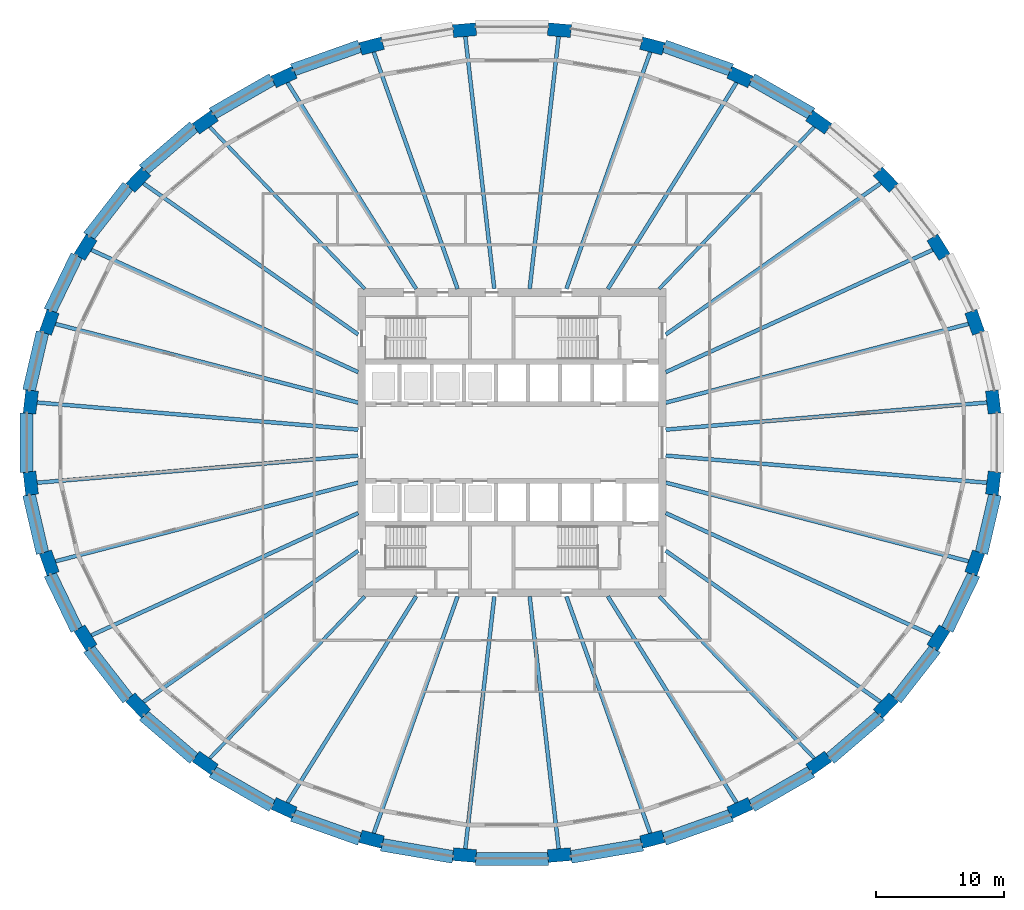
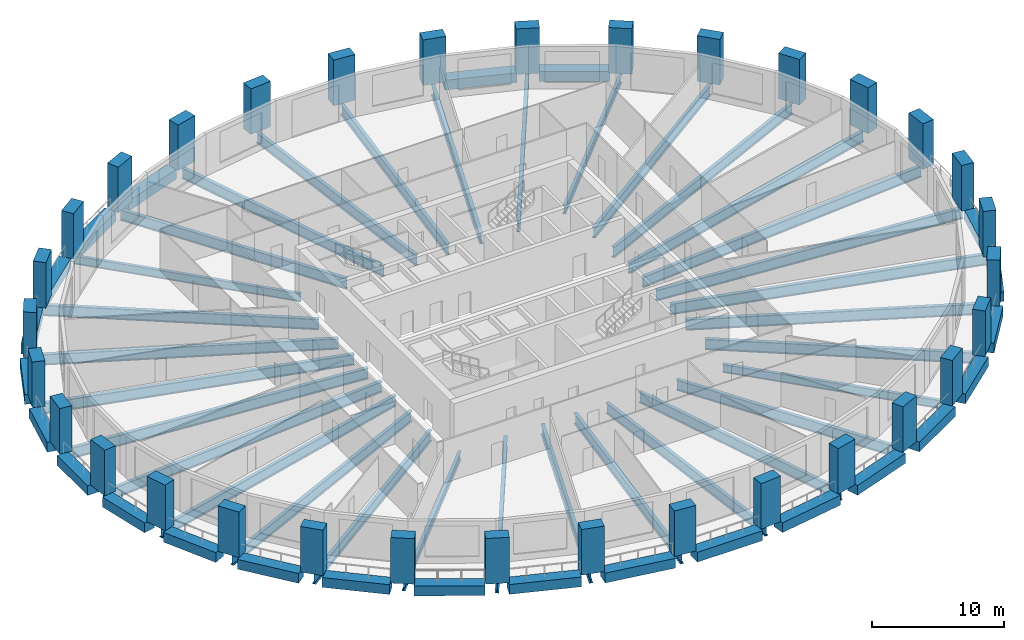
# One storey, part 1 of 12: 56 beams, 32 columns.
"""IFC4 building model written with IfcOpenShell, lengths in metres."""

from ifc_helpers import new_model, si_unit, direction, frame, origin, origin_2d, place, context, subcontext, project, spatial, rectangle, i_section, extrude, material, material_profile, profile_set, type_object, element, save


model = new_model("IFC4")

# Units and contexts
model_context = context("Model", 3, precision=1e-05, world=origin(), true_north=direction((0.0, 1.0)))
body_context = subcontext(model_context, "Body", "Model", "MODEL_VIEW")
ifc_project = project(units=[si_unit("LENGTHUNIT", "METRE"), si_unit("AREAUNIT", "SQUARE_METRE"), si_unit("VOLUMEUNIT", "CUBIC_METRE"), si_unit("PLANEANGLEUNIT", "RADIAN"), si_unit("MASSUNIT", "GRAM", prefix="KILO")], contexts=[model_context])

# Site, building, storey
site_placement = place(None, origin())
site = spatial("IfcSite", under=ifc_project, at=site_placement, CompositionType="ELEMENT")
building_placement = place(site_placement, origin())
building = spatial("IfcBuilding", under=site, at=building_placement, Name="Halqa Exchange Tower", CompositionType="ELEMENT")
storey_placement = place(building_placement, frame((0.0, 0.0, 31.89990234375)))
storey = spatial("IfcBuildingStorey", under=building, at=storey_placement, Name="L06", CompositionType="ELEMENT", Elevation=31.89990234375)

# Columns
ifc_material_1 = material(Name="Concrete C80/95", Category="concrete")
ifc_material_profile_1 = material_profile(ifc_material_1, rectangle(XDim=1.800048828125, YDim=1.0, at=origin_2d()), Name="1800 x 1000")
ifc_profile_set_1 = profile_set([ifc_material_profile_1], Name="Concrete C80/95")
column_type = type_object("IfcColumnType", Name="RC ring column 1800 x 1000 C80/95", PredefinedType="COLUMN", material=ifc_profile_set_1)
for number, where, z_axis, x_axis, name in (
    (1, (37.4765625, 3.163818359375, 0.0), (0.0, 0.0, 1.0), (-0.114155188058, 0.993462929877, 0.0), "Ring column 1"),
    (2, (36.036376953125, 9.369873046875, 0.0), (0.0, 0.0, 1.0), (-0.333630814899, 0.942703813162, 0.0), "Ring column 2"),
    (3, (33.211181640625, 15.2158203125, 0.0), (0.0, 0.0, 1.0), (-0.529141977228, 0.848533303964, 0.0), "Ring column 3"),
    (4, (29.110107421875, 20.47705078125, 0.0), (0.0, 0.0, 1.0), (-0.691574830638, 0.722304820438, 0.0), "Ring column 4"),
    (5, (23.889892578125, 24.951416015625, 0.0), (0.0, 0.0, 1.0), (-0.817911800523, 0.575343624772, 0.0), "Ring column 5"),
    (6, (17.751708984375, 28.466796875, 0.0), (0.0, 0.0, 1.0), (-0.909127822794, 0.416517228722, 0.0), "Ring column 6"),
    (7, (10.931396484375, 30.88818359375, 0.0), (0.0, 0.0, 1.0), (-0.967819064366, 0.251647091481, 0.0), "Ring column 7"),
    (8, (3.691162109375, 32.122802734375, 0.0), (0.0, 0.0, 1.0), (-0.996455225341, 0.084124811391, 0.0), "Ring column 8"),
    (9, (-3.691162109375, 32.122802734375, 0.0), (0.0, 0.0, 1.0), (-0.996455225341, -0.084124811391, 0.0), "Ring column 9"),
    (10, (-10.931396484375, 30.88818359375, 0.0), (0.0, 0.0, 1.0), (-0.967819064366, -0.251647091481, 0.0), "Ring column 10"),
    (11, (-17.751708984375, 28.466796875, 0.0), (0.0, 0.0, 1.0), (-0.909127822794, -0.416517228722, 0.0), "Ring column 11"),
    (12, (-23.889892578125, 24.951416015625, 0.0), (0.0, 0.0, 1.0), (-0.817911800523, -0.575343624772, 0.0), "Ring column 12"),
    (13, (-29.110107421875, 20.47705078125, 0.0), (0.0, 0.0, 1.0), (-0.691574830638, -0.722304820438, 0.0), "Ring column 13"),
    (14, (-33.211181640625, 15.2158203125, 0.0), (0.0, 0.0, 1.0), (-0.529141977228, -0.848533303964, 0.0), "Ring column 14"),
    (15, (-36.036376953125, 9.369873046875, 0.0), (0.0, 0.0, 1.0), (-0.333630814899, -0.942703813162, 0.0), "Ring column 15"),
    (16, (-37.4765625, 3.163818359375, 0.0), (0.0, 0.0, 1.0), (-0.114155188058, -0.993462929877, 0.0), "Ring column 16"),
    (17, (-37.4765625, -3.163818359375, 0.0), (0.0, 0.0, 1.0), (0.114155188058, -0.993462929877, 0.0), "Ring column 17"),
    (18, (-36.036376953125, -9.369873046875, 0.0), (0.0, 0.0, 1.0), (0.333630814899, -0.942703813162, 0.0), "Ring column 18"),
    (19, (-33.211181640625, -15.2158203125, 0.0), (0.0, 0.0, 1.0), (0.529141977228, -0.848533303964, 0.0), "Ring column 19"),
    (20, (-29.110107421875, -20.47705078125, 0.0), (0.0, 0.0, 1.0), (0.691574830638, -0.722304820438, 0.0), "Ring column 20"),
    (21, (-23.889892578125, -24.951416015625, 0.0), (0.0, 0.0, 1.0), (0.817911800523, -0.575343624772, 0.0), "Ring column 21"),
    (22, (-17.751708984375, -28.466796875, 0.0), (0.0, 0.0, 1.0), (0.909127822794, -0.416517228722, 0.0), "Ring column 22"),
    (23, (-10.931396484375, -30.88818359375, 0.0), (0.0, 0.0, 1.0), (0.967819064366, -0.251647091481, 0.0), "Ring column 23"),
    (24, (-3.691162109375, -32.122802734375, 0.0), (0.0, 0.0, 1.0), (0.996455225341, -0.084124811391, 0.0), "Ring column 24"),
    (25, (3.691162109375, -32.122802734375, 0.0), (0.0, 0.0, 1.0), (0.996455225341, 0.084124811391, 0.0), "Ring column 25"),
    (26, (10.931396484375, -30.88818359375, 0.0), (0.0, 0.0, 1.0), (0.967819064366, 0.251647091481, 0.0), "Ring column 26"),
    (27, (17.751708984375, -28.466796875, 0.0), (0.0, 0.0, 1.0), (0.909127822794, 0.416517228722, 0.0), "Ring column 27"),
    (28, (23.889892578125, -24.951416015625, 0.0), (0.0, 0.0, 1.0), (0.817911800523, 0.575343624772, 0.0), "Ring column 28"),
    (29, (29.110107421875, -20.47705078125, 0.0), (0.0, 0.0, 1.0), (0.691574830638, 0.722304820438, 0.0), "Ring column 29"),
    (30, (33.211181640625, -15.2158203125, 0.0), (0.0, 0.0, 1.0), (0.529141977228, 0.848533303964, 0.0), "Ring column 30"),
    (31, (36.036376953125, -9.369873046875, 0.0), (0.0, 0.0, 1.0), (0.333630814899, 0.942703813162, 0.0), "Ring column 31"),
    (32, (37.4765625, -3.163818359375, 0.0), (0.0, 0.0, 1.0), (0.114155188058, 0.993462929877, 0.0), "Ring column 32"),
):
    element("IfcColumn", number, at=place(storey_placement, frame(where, z_axis=z_axis, x_axis=x_axis)), inside=storey, type_object=column_type, Name=name, PredefinedType="COLUMN", context=body_context, shape_type="SweptSolid", body=[
        extrude(rectangle(XDim=1.800048828125, YDim=1.0, at=origin_2d()), origin(), (0.0, 0.0, 1.0), 4.2001953125),
    ])

# Beams
ifc_material_2 = material(Name="Steel S355", Category="steel")
ifc_material_profile_2 = material_profile(ifc_material_2, i_section(OverallWidth=0.300048828125, OverallDepth=0.989990234375, WebThickness=0.0166015625, FlangeThickness=0.031005859375, FilletRadius=0.030029296875, at=origin_2d()), Name="HEA 1000")
ifc_profile_set_2 = profile_set([ifc_material_profile_2], Name="Steel S355")
beam_type_1 = type_object("IfcBeamType", Name="Floor beam HEA 1000", PredefinedType="BEAM", material=ifc_profile_set_2)
beam_1_placement = place(storey_placement, frame((11.972412109375, 5.485107421875, -0.794921875), z_axis=(0.909124630178, 0.416524197141, 0.0), x_axis=(-0.416524197141, 0.909124630178, 0.0)))
element("IfcBeam", 33, at=beam_1_placement, inside=storey, type_object=beam_type_1, Name="Radial beam 3", PredefinedType="BEAM", context=body_context, shape_type="SweptSolid", body=[
    extrude(i_section(OverallWidth=0.300048828125, OverallDepth=0.989990234375, WebThickness=0.0166015625, FlangeThickness=0.031005859375, FilletRadius=0.030029296875, at=origin_2d()), origin(), (0.0, 0.0, 1.0), 23.317626953125),
])
beam_2_placement = place(storey_placement, frame((11.972412109375, 8.421875, -0.794921875), z_axis=(0.817908826186, 0.575347853082, 0.0), x_axis=(-0.575347853082, 0.817908826186, 0.0)))
element("IfcBeam", 34, at=beam_2_placement, inside=storey, type_object=beam_type_1, Name="Radial beam 4", PredefinedType="BEAM", context=body_context, shape_type="SweptSolid", body=[
    extrude(i_section(OverallWidth=0.300048828125, OverallDepth=0.989990234375, WebThickness=0.0166015625, FlangeThickness=0.031005859375, FilletRadius=0.030029296875, at=origin_2d()), origin(), (0.0, 0.0, 1.0), 20.900146484375),
])
beam_3_placement = place(storey_placement, frame((7.46533203125, 11.971435546875, -0.794921875), z_axis=(0.529139837497, 0.848534638287, 0.0), x_axis=(-0.848534638287, 0.529139837497, 0.0)))
element("IfcBeam", 35, at=beam_3_placement, inside=storey, type_object=beam_type_1, Name="Radial beam 6", PredefinedType="BEAM", context=body_context, shape_type="SweptSolid", body=[
    extrude(i_section(OverallWidth=0.300048828125, OverallDepth=0.989990234375, WebThickness=0.0166015625, FlangeThickness=0.031005859375, FilletRadius=0.030029296875, at=origin_2d()), origin(), (0.0, 0.0, 1.0), 19.36865234375),
])
beam_4_placement = place(storey_placement, frame((4.23681640625, 11.971923828125, -0.794921875), z_axis=(0.333629414336, 0.942704308832, 0.0), x_axis=(-0.942704308832, 0.333629414336, 0.0)))
element("IfcBeam", 36, at=beam_4_placement, inside=storey, type_object=beam_type_1, Name="Radial beam 7", PredefinedType="BEAM", context=body_context, shape_type="SweptSolid", body=[
    extrude(i_section(OverallWidth=0.300048828125, OverallDepth=0.989990234375, WebThickness=0.0166015625, FlangeThickness=0.031005859375, FilletRadius=0.030029296875, at=origin_2d()), origin(), (0.0, 0.0, 1.0), 19.98974609375),
])
for number, where, z_axis, x_axis, name in (
    (37, (1.375732421875, 11.972900390625, -0.794921875), (0.114154894091, 0.993462963656, 0.0), (-0.993462963656, 0.114154894091, 0.0), "Radial beam 8"),
    (38, (-1.375732421875, 11.972900390625, -0.794921875), (-0.114154894091, 0.993462963656, 0.0), (-0.993462963656, -0.114154894091, 0.0), "Radial beam 9"),
):
    element("IfcBeam", number, at=place(storey_placement, frame(where, z_axis=z_axis, x_axis=x_axis)), inside=storey, type_object=beam_type_1, Name=name, PredefinedType="BEAM", context=body_context, shape_type="SweptSolid", body=[
        extrude(i_section(OverallWidth=0.300048828125, OverallDepth=0.989990234375, WebThickness=0.0166015625, FlangeThickness=0.031005859375, FilletRadius=0.030029296875, at=origin_2d()), origin(), (0.0, 0.0, 1.0), 20.2041015625),
    ])
beam_5_placement = place(storey_placement, frame((-4.23681640625, 11.971923828125, -0.794921875), z_axis=(-0.333629414336, 0.942704308832, 0.0), x_axis=(-0.942704308832, -0.333629414336, 0.0)))
element("IfcBeam", 39, at=beam_5_placement, inside=storey, type_object=beam_type_1, Name="Radial beam 10", PredefinedType="BEAM", context=body_context, shape_type="SweptSolid", body=[
    extrude(i_section(OverallWidth=0.300048828125, OverallDepth=0.989990234375, WebThickness=0.0166015625, FlangeThickness=0.031005859375, FilletRadius=0.030029296875, at=origin_2d()), origin(), (0.0, 0.0, 1.0), 19.98974609375),
])
beam_6_placement = place(storey_placement, frame((-7.46533203125, 11.971435546875, -0.794921875), z_axis=(-0.529139837497, 0.848534638287, 0.0), x_axis=(-0.848534638287, -0.529139837497, 0.0)))
element("IfcBeam", 40, at=beam_6_placement, inside=storey, type_object=beam_type_1, Name="Radial beam 11", PredefinedType="BEAM", context=body_context, shape_type="SweptSolid", body=[
    extrude(i_section(OverallWidth=0.300048828125, OverallDepth=0.989990234375, WebThickness=0.0166015625, FlangeThickness=0.031005859375, FilletRadius=0.030029296875, at=origin_2d()), origin(), (0.0, 0.0, 1.0), 19.36865234375),
])
beam_7_placement = place(storey_placement, frame((-11.972412109375, 8.421875, -0.794921875), z_axis=(-0.817908826186, 0.575347853082, 0.0), x_axis=(-0.575347853082, -0.817908826186, 0.0)))
element("IfcBeam", 41, at=beam_7_placement, inside=storey, type_object=beam_type_1, Name="Radial beam 13", PredefinedType="BEAM", context=body_context, shape_type="SweptSolid", body=[
    extrude(i_section(OverallWidth=0.300048828125, OverallDepth=0.989990234375, WebThickness=0.0166015625, FlangeThickness=0.031005859375, FilletRadius=0.030029296875, at=origin_2d()), origin(), (0.0, 0.0, 1.0), 20.900146484375),
])
for number, where, z_axis, x_axis, name in (
    (42, (-11.972412109375, 5.485107421875, -0.794921875), (-0.909124630178, 0.416524197141, 0.0), (-0.416524197141, -0.909124630178, 0.0), "Radial beam 14"),
    (43, (-11.972412109375, -5.485107421875, -0.794921875), (-0.909124630178, -0.416524197141, 0.0), (0.416524197141, -0.909124630178, 0.0), "Radial beam 19"),
):
    element("IfcBeam", number, at=place(storey_placement, frame(where, z_axis=z_axis, x_axis=x_axis)), inside=storey, type_object=beam_type_1, Name=name, PredefinedType="BEAM", context=body_context, shape_type="SweptSolid", body=[
        extrude(i_section(OverallWidth=0.300048828125, OverallDepth=0.989990234375, WebThickness=0.0166015625, FlangeThickness=0.031005859375, FilletRadius=0.030029296875, at=origin_2d()), origin(), (0.0, 0.0, 1.0), 23.317626953125),
    ])
beam_8_placement = place(storey_placement, frame((-11.972412109375, -8.421875, -0.794921875), z_axis=(-0.817908826186, -0.575347853082, 0.0), x_axis=(0.575347853082, -0.817908826186, 0.0)))
element("IfcBeam", 44, at=beam_8_placement, inside=storey, type_object=beam_type_1, Name="Radial beam 20", PredefinedType="BEAM", context=body_context, shape_type="SweptSolid", body=[
    extrude(i_section(OverallWidth=0.300048828125, OverallDepth=0.989990234375, WebThickness=0.0166015625, FlangeThickness=0.031005859375, FilletRadius=0.030029296875, at=origin_2d()), origin(), (0.0, 0.0, 1.0), 20.900146484375),
])
beam_9_placement = place(storey_placement, frame((-7.46533203125, -11.971435546875, -0.794921875), z_axis=(-0.529139837497, -0.848534638287, 0.0), x_axis=(0.848534638287, -0.529139837497, 0.0)))
element("IfcBeam", 45, at=beam_9_placement, inside=storey, type_object=beam_type_1, Name="Radial beam 22", PredefinedType="BEAM", context=body_context, shape_type="SweptSolid", body=[
    extrude(i_section(OverallWidth=0.300048828125, OverallDepth=0.989990234375, WebThickness=0.0166015625, FlangeThickness=0.031005859375, FilletRadius=0.030029296875, at=origin_2d()), origin(), (0.0, 0.0, 1.0), 19.36865234375),
])
beam_10_placement = place(storey_placement, frame((-4.23681640625, -11.971923828125, -0.794921875), z_axis=(-0.333629414336, -0.942704308832, 0.0), x_axis=(0.942704308832, -0.333629414336, 0.0)))
element("IfcBeam", 46, at=beam_10_placement, inside=storey, type_object=beam_type_1, Name="Radial beam 23", PredefinedType="BEAM", context=body_context, shape_type="SweptSolid", body=[
    extrude(i_section(OverallWidth=0.300048828125, OverallDepth=0.989990234375, WebThickness=0.0166015625, FlangeThickness=0.031005859375, FilletRadius=0.030029296875, at=origin_2d()), origin(), (0.0, 0.0, 1.0), 19.98974609375),
])
for number, where, z_axis, x_axis, name in (
    (47, (-1.375732421875, -11.972900390625, -0.794921875), (-0.114154894091, -0.993462963656, 0.0), (0.993462963656, -0.114154894091, 0.0), "Radial beam 24"),
    (48, (1.375732421875, -11.972900390625, -0.794921875), (0.114154894091, -0.993462963656, 0.0), (0.993462963656, 0.114154894091, 0.0), "Radial beam 25"),
):
    element("IfcBeam", number, at=place(storey_placement, frame(where, z_axis=z_axis, x_axis=x_axis)), inside=storey, type_object=beam_type_1, Name=name, PredefinedType="BEAM", context=body_context, shape_type="SweptSolid", body=[
        extrude(i_section(OverallWidth=0.300048828125, OverallDepth=0.989990234375, WebThickness=0.0166015625, FlangeThickness=0.031005859375, FilletRadius=0.030029296875, at=origin_2d()), origin(), (0.0, 0.0, 1.0), 20.2041015625),
    ])
beam_11_placement = place(storey_placement, frame((4.23681640625, -11.971923828125, -0.794921875), z_axis=(0.333629414336, -0.942704308832, 0.0), x_axis=(0.942704308832, 0.333629414336, 0.0)))
element("IfcBeam", 49, at=beam_11_placement, inside=storey, type_object=beam_type_1, Name="Radial beam 26", PredefinedType="BEAM", context=body_context, shape_type="SweptSolid", body=[
    extrude(i_section(OverallWidth=0.300048828125, OverallDepth=0.989990234375, WebThickness=0.0166015625, FlangeThickness=0.031005859375, FilletRadius=0.030029296875, at=origin_2d()), origin(), (0.0, 0.0, 1.0), 19.98974609375),
])
beam_12_placement = place(storey_placement, frame((7.46533203125, -11.971435546875, -0.794921875), z_axis=(0.529139837497, -0.848534638287, 0.0), x_axis=(0.848534638287, 0.529139837497, 0.0)))
element("IfcBeam", 50, at=beam_12_placement, inside=storey, type_object=beam_type_1, Name="Radial beam 27", PredefinedType="BEAM", context=body_context, shape_type="SweptSolid", body=[
    extrude(i_section(OverallWidth=0.300048828125, OverallDepth=0.989990234375, WebThickness=0.0166015625, FlangeThickness=0.031005859375, FilletRadius=0.030029296875, at=origin_2d()), origin(), (0.0, 0.0, 1.0), 19.36865234375),
])
beam_13_placement = place(storey_placement, frame((11.972412109375, -8.421875, -0.794921875), z_axis=(0.817908826186, -0.575347853082, 0.0), x_axis=(0.575347853082, 0.817908826186, 0.0)))
element("IfcBeam", 51, at=beam_13_placement, inside=storey, type_object=beam_type_1, Name="Radial beam 29", PredefinedType="BEAM", context=body_context, shape_type="SweptSolid", body=[
    extrude(i_section(OverallWidth=0.300048828125, OverallDepth=0.989990234375, WebThickness=0.0166015625, FlangeThickness=0.031005859375, FilletRadius=0.030029296875, at=origin_2d()), origin(), (0.0, 0.0, 1.0), 20.900146484375),
])
beam_14_placement = place(storey_placement, frame((11.972412109375, -5.485107421875, -0.794921875), z_axis=(0.909124630178, -0.416524197141, 0.0), x_axis=(0.416524197141, 0.909124630178, 0.0)))
element("IfcBeam", 52, at=beam_14_placement, inside=storey, type_object=beam_type_1, Name="Radial beam 30", PredefinedType="BEAM", context=body_context, shape_type="SweptSolid", body=[
    extrude(i_section(OverallWidth=0.300048828125, OverallDepth=0.989990234375, WebThickness=0.0166015625, FlangeThickness=0.031005859375, FilletRadius=0.030029296875, at=origin_2d()), origin(), (0.0, 0.0, 1.0), 23.317626953125),
])
ifc_material_profile_3 = material_profile(ifc_material_2, i_section(OverallWidth=0.302001953125, OverallDepth=1.008056640625, WebThickness=0.02099609375, FlangeThickness=0.0400390625, FilletRadius=0.030029296875, at=origin_2d()), Name="HEM 1000")
ifc_profile_set_3 = profile_set([ifc_material_profile_3], Name="Steel S355")
beam_type_2 = type_object("IfcBeamType", Name="Floor beam HEM 1000", PredefinedType="BEAM", material=ifc_profile_set_3)
beam_15_placement = place(storey_placement, frame((11.972412109375, 1.0107421875, -0.803955078125), z_axis=(0.996455139269, 0.084125830899, 0.0), x_axis=(-0.084125830899, 0.996455139269, 0.0)))
element("IfcBeam", 53, at=beam_15_placement, inside=storey, type_object=beam_type_2, Name="Radial beam 1", PredefinedType="BEAM", context=body_context, shape_type="SweptSolid", body=[
    extrude(i_section(OverallWidth=0.302001953125, OverallDepth=1.008056640625, WebThickness=0.02099609375, FlangeThickness=0.0400390625, FilletRadius=0.030029296875, at=origin_2d()), origin(), (0.0, 0.0, 1.0), 25.564453125),
])
for number, where, z_axis, x_axis, name in (
    (54, (11.971435546875, 3.11279296875, -0.803955078125), (0.967820782621, 0.251640483083, 0.0), (-0.251640483083, 0.967820782621, 0.0), "Radial beam 2"),
    (55, (-11.971435546875, 3.11279296875, -0.803955078125), (-0.967820782621, 0.251640483083, 0.0), (-0.251640483083, -0.967820782621, 0.0), "Radial beam 15"),
):
    element("IfcBeam", number, at=place(storey_placement, frame(where, z_axis=z_axis, x_axis=x_axis)), inside=storey, type_object=beam_type_2, Name=name, PredefinedType="BEAM", context=body_context, shape_type="SweptSolid", body=[
        extrude(i_section(OverallWidth=0.302001953125, OverallDepth=1.008056640625, WebThickness=0.02099609375, FlangeThickness=0.0400390625, FilletRadius=0.030029296875, at=origin_2d()), origin(), (0.0, 0.0, 1.0), 24.829345703125),
    ])
for number, where, z_axis, x_axis, name in (
    (56, (-11.972412109375, 1.0107421875, -0.803955078125), (-0.996455139269, 0.084125830899, 0.0), (-0.084125830899, -0.996455139269, 0.0), "Radial beam 16"),
    (57, (-11.972412109375, -1.0107421875, -0.803955078125), (-0.996455139269, -0.084125830899, 0.0), (0.084125830899, -0.996455139269, 0.0), "Radial beam 17"),
):
    element("IfcBeam", number, at=place(storey_placement, frame(where, z_axis=z_axis, x_axis=x_axis)), inside=storey, type_object=beam_type_2, Name=name, PredefinedType="BEAM", context=body_context, shape_type="SweptSolid", body=[
        extrude(i_section(OverallWidth=0.302001953125, OverallDepth=1.008056640625, WebThickness=0.02099609375, FlangeThickness=0.0400390625, FilletRadius=0.030029296875, at=origin_2d()), origin(), (0.0, 0.0, 1.0), 25.564453125),
    ])
for number, where, z_axis, x_axis, name in (
    (58, (-11.971435546875, -3.11279296875, -0.803955078125), (-0.967820782621, -0.251640483083, 0.0), (0.251640483083, -0.967820782621, 0.0), "Radial beam 18"),
    (59, (11.971435546875, -3.11279296875, -0.803955078125), (0.967820782621, -0.251640483083, 0.0), (0.251640483083, 0.967820782621, 0.0), "Radial beam 31"),
):
    element("IfcBeam", number, at=place(storey_placement, frame(where, z_axis=z_axis, x_axis=x_axis)), inside=storey, type_object=beam_type_2, Name=name, PredefinedType="BEAM", context=body_context, shape_type="SweptSolid", body=[
        extrude(i_section(OverallWidth=0.302001953125, OverallDepth=1.008056640625, WebThickness=0.02099609375, FlangeThickness=0.0400390625, FilletRadius=0.030029296875, at=origin_2d()), origin(), (0.0, 0.0, 1.0), 24.829345703125),
    ])
beam_16_placement = place(storey_placement, frame((11.972412109375, -1.0107421875, -0.803955078125), z_axis=(0.996455139269, -0.084125830899, 0.0), x_axis=(0.084125830899, 0.996455139269, 0.0)))
element("IfcBeam", 60, at=beam_16_placement, inside=storey, type_object=beam_type_2, Name="Radial beam 32", PredefinedType="BEAM", context=body_context, shape_type="SweptSolid", body=[
    extrude(i_section(OverallWidth=0.302001953125, OverallDepth=1.008056640625, WebThickness=0.02099609375, FlangeThickness=0.0400390625, FilletRadius=0.030029296875, at=origin_2d()), origin(), (0.0, 0.0, 1.0), 25.564453125),
])
ifc_material_profile_4 = material_profile(ifc_material_2, i_section(OverallWidth=0.264892578125, OverallDepth=0.7529296875, WebThickness=0.01318359375, FlangeThickness=0.01708984375, FilletRadius=0.01708984375, at=origin_2d()), Name="IPE 750x147")
ifc_profile_set_4 = profile_set([ifc_material_profile_4], Name="Steel S355")
beam_type_3 = type_object("IfcBeamType", Name="Floor beam IPE 750x147", PredefinedType="BEAM", material=ifc_profile_set_4)
for number, where, z_axis, x_axis, name in (
    (61, (11.462890625, 11.97216796875, -0.676513671875), (0.691574525991, 0.722305112124, 0.0), (-0.722305112124, 0.691574525991, 0.0), "Radial beam 5"),
    (62, (-11.462890625, 11.97216796875, -0.676513671875), (-0.691574525991, 0.722305112124, 0.0), (-0.722305112124, -0.691574525991, 0.0), "Radial beam 12"),
    (63, (-11.462890625, -11.97216796875, -0.676513671875), (-0.691574525991, -0.722305112124, 0.0), (0.722305112124, -0.691574525991, 0.0), "Radial beam 21"),
    (64, (11.462890625, -11.97216796875, -0.676513671875), (0.691574525991, -0.722305112124, 0.0), (0.722305112124, 0.691574525991, 0.0), "Radial beam 28"),
):
    element("IfcBeam", number, at=place(storey_placement, frame(where, z_axis=z_axis, x_axis=x_axis)), inside=storey, type_object=beam_type_3, Name=name, PredefinedType="BEAM", context=body_context, shape_type="SweptSolid", body=[
        extrude(i_section(OverallWidth=0.264892578125, OverallDepth=0.7529296875, WebThickness=0.01318359375, FlangeThickness=0.01708984375, FilletRadius=0.01708984375, at=origin_2d()), origin(), (0.0, 0.0, 1.0), 17.906982421875),
    ])
ifc_material_3 = material(Name="Concrete C60/75", Category="concrete")
ifc_material_profile_5 = material_profile(ifc_material_3, rectangle(XDim=1.0, YDim=0.89990234375, at=origin_2d()), Name="1000 x 900")
ifc_profile_set_5 = profile_set([ifc_material_profile_5], Name="Concrete C60/75")
beam_type_4 = type_object("IfcBeamType", Name="RC spandrel beam 1000 x 900 C60/75", PredefinedType="SPANDREL", material=ifc_profile_set_5)
beam_17_placement = place(storey_placement, frame((23.3466796875, 25.61328125, -0.449951171875), z_axis=(-0.867735054716, 0.497027036303, 0.0), x_axis=(-0.497027036303, -0.867735054716, 0.0)))
element("IfcBeam", 65, at=beam_17_placement, inside=storey, type_object=beam_type_4, Name="Spandrel 5", PredefinedType="SPANDREL", context=body_context, shape_type="SweptSolid", body=[
    extrude(rectangle(XDim=1.0, YDim=0.89990234375, at=origin_2d()), origin(), (0.0, 0.0, 1.0), 5.386474609375),
])
for number, where, z_axis, x_axis, name in (
    (66, (17.08740234375, 29.0185546875, -0.449951171875), (-0.942365135213, 0.334586239906, 0.0), (-0.334586239906, -0.942365135213, 0.0), "Spandrel 6"),
    (67, (-11.85595703125, 30.8759765625, -0.449951171875), (-0.942365135213, -0.334586239906, 0.0), (0.334586239906, -0.942365135213, 0.0), "Spandrel 10"),
):
    element("IfcBeam", number, at=place(storey_placement, frame(where, z_axis=z_axis, x_axis=x_axis)), inside=storey, type_object=beam_type_4, Name=name, PredefinedType="SPANDREL", context=body_context, shape_type="SweptSolid", body=[
        extrude(rectangle(XDim=1.0, YDim=0.89990234375, at=origin_2d()), origin(), (0.0, 0.0, 1.0), 5.551513671875),
    ])
beam_18_placement = place(storey_placement, frame((-18.672607421875, 28.29052734375, -0.449951171875), z_axis=(-0.867735054716, -0.497027036303, 0.0), x_axis=(0.497027036303, -0.867735054716, 0.0)))
element("IfcBeam", 68, at=beam_18_placement, inside=storey, type_object=beam_type_4, Name="Spandrel 11", PredefinedType="SPANDREL", context=body_context, shape_type="SweptSolid", body=[
    extrude(rectangle(XDim=1.0, YDim=0.89990234375, at=origin_2d()), origin(), (0.0, 0.0, 1.0), 5.386474609375),
])
beam_19_placement = place(storey_placement, frame((-24.771484375, 24.6083984375, -0.449951171875), z_axis=(-0.759256602365, -0.650791373456, 0.0), x_axis=(0.650791373456, -0.759256602365, 0.0)))
element("IfcBeam", 69, at=beam_19_placement, inside=storey, type_object=beam_type_4, Name="Spandrel 12", PredefinedType="SPANDREL", context=body_context, shape_type="SweptSolid", body=[
    extrude(rectangle(XDim=1.0, YDim=0.89990234375, at=origin_2d()), origin(), (0.0, 0.0, 1.0), 5.18603515625),
])
beam_20_placement = place(storey_placement, frame((-29.91259765625, 19.972412109375, -0.449951171875), z_axis=(-0.61483301054, -0.788657320482, 0.0), x_axis=(0.788657320482, -0.61483301054, 0.0)))
element("IfcBeam", 70, at=beam_20_placement, inside=storey, type_object=beam_type_4, Name="Spandrel 13", PredefinedType="SPANDREL", context=body_context, shape_type="SweptSolid", body=[
    extrude(rectangle(XDim=1.0, YDim=0.89990234375, at=origin_2d()), origin(), (0.0, 0.0, 1.0), 4.97900390625),
])
beam_21_placement = place(storey_placement, frame((-33.89501953125, 14.563720703125, -0.449951171875), z_axis=(-0.435100585492, -0.900381852607, 0.0), x_axis=(0.900381852607, -0.435100585492, 0.0)))
element("IfcBeam", 71, at=beam_21_placement, inside=storey, type_object=beam_type_4, Name="Spandrel 14", PredefinedType="SPANDREL", context=body_context, shape_type="SweptSolid", body=[
    extrude(rectangle(XDim=1.0, YDim=0.89990234375, at=origin_2d()), origin(), (0.0, 0.0, 1.0), 4.796875),
])
beam_22_placement = place(storey_placement, frame((-36.56201171875, 8.599853515625, -0.449951171875), z_axis=(-0.226088096274, -0.974106858986, 0.0), x_axis=(0.974106858986, -0.226088096274, 0.0)))
element("IfcBeam", 72, at=beam_22_placement, inside=storey, type_object=beam_type_4, Name="Spandrel 15", PredefinedType="SPANDREL", context=body_context, shape_type="SweptSolid", body=[
    extrude(rectangle(XDim=1.0, YDim=0.89990234375, at=origin_2d()), origin(), (0.0, 0.0, 1.0), 4.672607421875),
])
beam_23_placement = place(storey_placement, frame((-37.81689453125, 2.31396484375, -0.449951171875), z_axis=(0.0, -1.0, 0.0), x_axis=(1.0, 0.0, 0.0)))
element("IfcBeam", 73, at=beam_23_placement, inside=storey, type_object=beam_type_4, Name="Spandrel 16", PredefinedType="SPANDREL", context=body_context, shape_type="SweptSolid", body=[
    extrude(rectangle(XDim=1.0, YDim=0.89990234375, at=origin_2d()), origin(), (0.0, 0.0, 1.0), 4.6279296875),
])
beam_24_placement = place(storey_placement, frame((-37.618408203125, -4.04833984375, -0.449951171875), z_axis=(0.226088096274, -0.974106858986, 0.0), x_axis=(0.974106858986, 0.226088096274, 0.0)))
element("IfcBeam", 74, at=beam_24_placement, inside=storey, type_object=beam_type_4, Name="Spandrel 17", PredefinedType="SPANDREL", context=body_context, shape_type="SweptSolid", body=[
    extrude(rectangle(XDim=1.0, YDim=0.89990234375, at=origin_2d()), origin(), (0.0, 0.0, 1.0), 4.672607421875),
])
beam_25_placement = place(storey_placement, frame((-35.982177734375, -10.24462890625, -0.449951171875), z_axis=(0.435100585492, -0.900381852607, 0.0), x_axis=(0.900381852607, 0.435100585492, 0.0)))
element("IfcBeam", 75, at=beam_25_placement, inside=storey, type_object=beam_type_4, Name="Spandrel 18", PredefinedType="SPANDREL", context=body_context, shape_type="SweptSolid", body=[
    extrude(rectangle(XDim=1.0, YDim=0.89990234375, at=origin_2d()), origin(), (0.0, 0.0, 1.0), 4.796875),
])
beam_26_placement = place(storey_placement, frame((-32.973876953125, -16.045654296875, -0.449951171875), z_axis=(0.61483301054, -0.788657320482, 0.0), x_axis=(0.788657320482, 0.61483301054, 0.0)))
element("IfcBeam", 76, at=beam_26_placement, inside=storey, type_object=beam_type_4, Name="Spandrel 19", PredefinedType="SPANDREL", context=body_context, shape_type="SweptSolid", body=[
    extrude(rectangle(XDim=1.0, YDim=0.89990234375, at=origin_2d()), origin(), (0.0, 0.0, 1.0), 4.97900390625),
])
beam_27_placement = place(storey_placement, frame((-28.708984375, -21.2333984375, -0.449951171875), z_axis=(0.759256602365, -0.650791373456, 0.0), x_axis=(0.650791373456, 0.759256602365, 0.0)))
element("IfcBeam", 77, at=beam_27_placement, inside=storey, type_object=beam_type_4, Name="Spandrel 20", PredefinedType="SPANDREL", context=body_context, shape_type="SweptSolid", body=[
    extrude(rectangle(XDim=1.0, YDim=0.89990234375, at=origin_2d()), origin(), (0.0, 0.0, 1.0), 5.18603515625),
])
beam_28_placement = place(storey_placement, frame((-23.3466796875, -25.61328125, -0.449951171875), z_axis=(0.867735054716, -0.497027036303, 0.0), x_axis=(0.497027036303, 0.867735054716, 0.0)))
element("IfcBeam", 78, at=beam_28_placement, inside=storey, type_object=beam_type_4, Name="Spandrel 21", PredefinedType="SPANDREL", context=body_context, shape_type="SweptSolid", body=[
    extrude(rectangle(XDim=1.0, YDim=0.89990234375, at=origin_2d()), origin(), (0.0, 0.0, 1.0), 5.386474609375),
])
beam_29_placement = place(storey_placement, frame((-17.08740234375, -29.0185546875, -0.449951171875), z_axis=(0.942365135213, -0.334586239906, 0.0), x_axis=(0.334586239906, 0.942365135213, 0.0)))
element("IfcBeam", 79, at=beam_29_placement, inside=storey, type_object=beam_type_4, Name="Spandrel 22", PredefinedType="SPANDREL", context=body_context, shape_type="SweptSolid", body=[
    extrude(rectangle(XDim=1.0, YDim=0.89990234375, at=origin_2d()), origin(), (0.0, 0.0, 1.0), 5.551513671875),
])
beam_30_placement = place(storey_placement, frame((-10.168212890625, -31.31591796875, -0.449951171875), z_axis=(0.985772867677, -0.168082876436, 0.0), x_axis=(0.168082876436, 0.985772867677, 0.0)))
element("IfcBeam", 80, at=beam_30_placement, inside=storey, type_object=beam_type_4, Name="Spandrel 23", PredefinedType="SPANDREL", context=body_context, shape_type="SweptSolid", body=[
    extrude(rectangle(XDim=1.0, YDim=0.89990234375, at=origin_2d()), origin(), (0.0, 0.0, 1.0), 5.661865234375),
])
beam_31_placement = place(storey_placement, frame((-2.85009765625, -32.41455078125, -0.449951171875), z_axis=(1.0, 0.0, 0.0), x_axis=(0.0, 1.0, 0.0)))
element("IfcBeam", 81, at=beam_31_placement, inside=storey, type_object=beam_type_4, Name="Spandrel 24", PredefinedType="SPANDREL", context=body_context, shape_type="SweptSolid", body=[
    extrude(rectangle(XDim=1.0, YDim=0.89990234375, at=origin_2d()), origin(), (0.0, 0.0, 1.0), 5.7001953125),
])
beam_32_placement = place(storey_placement, frame((4.5869140625, -32.267578125, -0.449951171875), z_axis=(0.985772867677, 0.168082876436, 0.0), x_axis=(-0.168082876436, 0.985772867677, 0.0)))
element("IfcBeam", 82, at=beam_32_placement, inside=storey, type_object=beam_type_4, Name="Spandrel 25", PredefinedType="SPANDREL", context=body_context, shape_type="SweptSolid", body=[
    extrude(rectangle(XDim=1.0, YDim=0.89990234375, at=origin_2d()), origin(), (0.0, 0.0, 1.0), 5.661865234375),
])
beam_33_placement = place(storey_placement, frame((11.85595703125, -30.8759765625, -0.449951171875), z_axis=(0.942365135213, 0.334586239906, 0.0), x_axis=(-0.334586239906, 0.942365135213, 0.0)))
element("IfcBeam", 83, at=beam_33_placement, inside=storey, type_object=beam_type_4, Name="Spandrel 26", PredefinedType="SPANDREL", context=body_context, shape_type="SweptSolid", body=[
    extrude(rectangle(XDim=1.0, YDim=0.89990234375, at=origin_2d()), origin(), (0.0, 0.0, 1.0), 5.551513671875),
])
beam_34_placement = place(storey_placement, frame((18.672607421875, -28.29052734375, -0.449951171875), z_axis=(0.867735054716, 0.497027036303, 0.0), x_axis=(-0.497027036303, 0.867735054716, 0.0)))
element("IfcBeam", 84, at=beam_34_placement, inside=storey, type_object=beam_type_4, Name="Spandrel 27", PredefinedType="SPANDREL", context=body_context, shape_type="SweptSolid", body=[
    extrude(rectangle(XDim=1.0, YDim=0.89990234375, at=origin_2d()), origin(), (0.0, 0.0, 1.0), 5.386474609375),
])
beam_35_placement = place(storey_placement, frame((24.771484375, -24.6083984375, -0.449951171875), z_axis=(0.759256602365, 0.650791373456, 0.0), x_axis=(-0.650791373456, 0.759256602365, 0.0)))
element("IfcBeam", 85, at=beam_35_placement, inside=storey, type_object=beam_type_4, Name="Spandrel 28", PredefinedType="SPANDREL", context=body_context, shape_type="SweptSolid", body=[
    extrude(rectangle(XDim=1.0, YDim=0.89990234375, at=origin_2d()), origin(), (0.0, 0.0, 1.0), 5.18603515625),
])
beam_36_placement = place(storey_placement, frame((29.91259765625, -19.972412109375, -0.449951171875), z_axis=(0.61483301054, 0.788657320482, 0.0), x_axis=(-0.788657320482, 0.61483301054, 0.0)))
element("IfcBeam", 86, at=beam_36_placement, inside=storey, type_object=beam_type_4, Name="Spandrel 29", PredefinedType="SPANDREL", context=body_context, shape_type="SweptSolid", body=[
    extrude(rectangle(XDim=1.0, YDim=0.89990234375, at=origin_2d()), origin(), (0.0, 0.0, 1.0), 4.97900390625),
])
beam_37_placement = place(storey_placement, frame((33.89501953125, -14.563720703125, -0.449951171875), z_axis=(0.435100585492, 0.900381852607, 0.0), x_axis=(-0.900381852607, 0.435100585492, 0.0)))
element("IfcBeam", 87, at=beam_37_placement, inside=storey, type_object=beam_type_4, Name="Spandrel 30", PredefinedType="SPANDREL", context=body_context, shape_type="SweptSolid", body=[
    extrude(rectangle(XDim=1.0, YDim=0.89990234375, at=origin_2d()), origin(), (0.0, 0.0, 1.0), 4.796875),
])
beam_38_placement = place(storey_placement, frame((36.56201171875, -8.599853515625, -0.449951171875), z_axis=(0.226088096274, 0.974106858986, 0.0), x_axis=(-0.974106858986, 0.226088096274, 0.0)))
element("IfcBeam", 88, at=beam_38_placement, inside=storey, type_object=beam_type_4, Name="Spandrel 31", PredefinedType="SPANDREL", context=body_context, shape_type="SweptSolid", body=[
    extrude(rectangle(XDim=1.0, YDim=0.89990234375, at=origin_2d()), origin(), (0.0, 0.0, 1.0), 4.672607421875),
])

save(model, "model.ifc")
